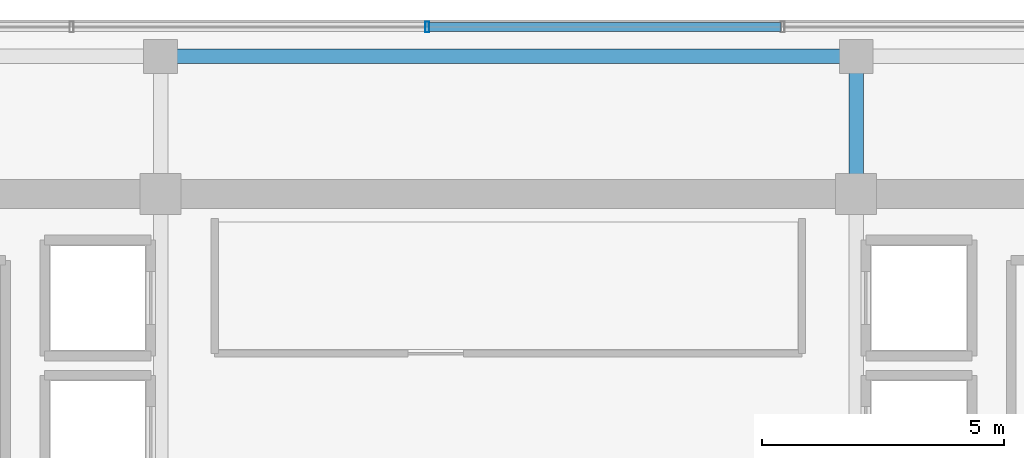
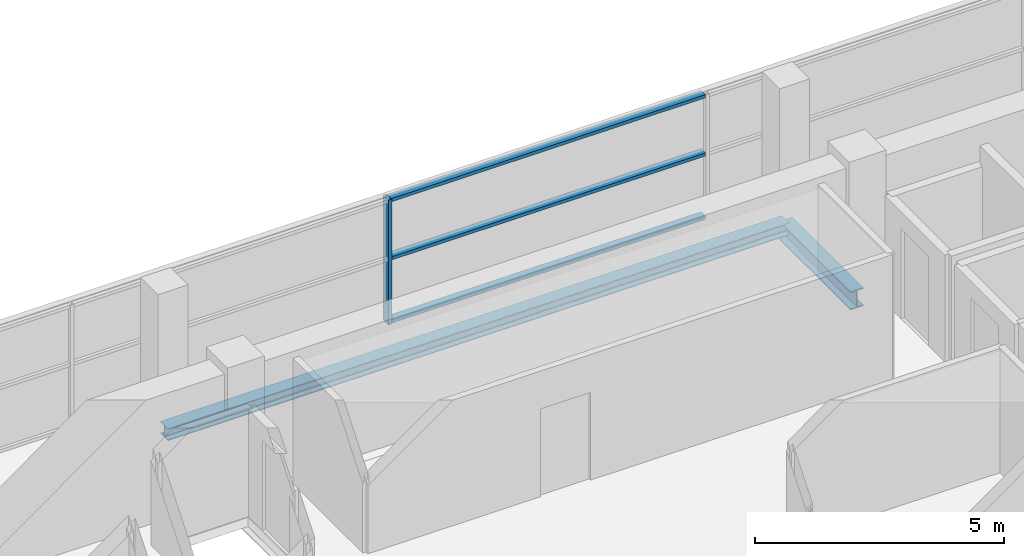
# One storey, part 11 of 22: 4 members, 2 beams, 1 element without a shape of its own.
"""IFC4 building model written with IfcOpenShell, lengths in metres."""

from ifc_helpers import new_model, si_unit, direction, frame, origin, origin_2d, place, context, subcontext, project, spatial, hollow_rectangle, i_section, extrude, source, transform, mapped, material, layer, layer_set, material_profile, profile_set, type_object, element, aggregate, save


model = new_model("IFC4")

# Units and contexts
model_context = context("Model", 3, precision=1e-05, world=origin(), true_north=direction((0.0, 1.0)))
body_context = subcontext(model_context, "Body", "Model", "MODEL_VIEW")
ifc_project = project(units=[si_unit("LENGTHUNIT", "METRE"), si_unit("AREAUNIT", "SQUARE_METRE"), si_unit("VOLUMEUNIT", "CUBIC_METRE"), si_unit("PLANEANGLEUNIT", "RADIAN"), si_unit("MASSUNIT", "GRAM", prefix="KILO")], contexts=[model_context])

# Site, building, storey
site_placement = place(None, origin())
site = spatial("IfcSite", under=ifc_project, at=site_placement, CompositionType="ELEMENT")
building_placement = place(site_placement, origin())
building = spatial("IfcBuilding", under=site, at=building_placement, Name="Zarnakvel Exchange Tower", CompositionType="ELEMENT")
storey_placement = place(building_placement, frame((0.0, 0.0, 238.60009765625)))
storey = spatial("IfcBuildingStorey", under=building, at=storey_placement, Name="L67", CompositionType="ELEMENT", Elevation=238.60009765625)

# Beams
ifc_material_1 = material(Name="Steel S355", Category="steel")
ifc_material_profile_1 = material_profile(ifc_material_1, i_section(OverallWidth=0.300048828125, OverallDepth=0.449951171875, WebThickness=0.013916015625, FlangeThickness=0.02587890625, FilletRadius=0.027099609375, at=origin_2d()))
ifc_profile_set_1 = profile_set([ifc_material_profile_1], Name="Steel S355")
beam_type_1 = type_object("IfcBeamType", Name="G-07", PredefinedType="BEAM", material=ifc_profile_set_1)
beam_1_placement = place(storey_placement, frame((7.199951171875, 13.5, -0.4501953125), z_axis=(0.0, 1.0, 0.0), x_axis=(-1.0, 0.0, 0.0)))
element("IfcBeam", 1, at=beam_1_placement, inside=storey, type_object=beam_type_1, Name="L67 Tower N-S Frame Beam", PredefinedType="BEAM", context=body_context, shape_type="SweptSolid", body=[
    extrude(i_section(OverallWidth=0.300048828125, OverallDepth=0.449951171875, WebThickness=0.013916015625, FlangeThickness=0.02587890625, FilletRadius=0.027099609375, at=origin_2d()), origin(), (0.0, 0.0, 1.0), 2.85009765625),
])
ifc_material_profile_2 = material_profile(ifc_material_1, i_section(OverallWidth=0.300048828125, OverallDepth=0.300048828125, WebThickness=0.010986328125, FlangeThickness=0.01904296875, FilletRadius=0.027099609375, at=origin_2d()))
ifc_profile_set_2 = profile_set([ifc_material_profile_2], Name="Steel S355")
beam_type_2 = type_object("IfcBeamType", Name="SP-03", PredefinedType="SPANDREL", material=ifc_profile_set_2)
beam_2_placement = place(storey_placement, frame((-7.199951171875, 16.35009765625, -0.375), z_axis=(1.0, 0.0, 0.0), x_axis=(0.0, 1.0, 0.0)))
element("IfcBeam", 2, at=beam_2_placement, inside=storey, type_object=beam_type_2, Name="L67 Tower E-W Frame Beam", PredefinedType="SPANDREL", context=body_context, shape_type="SweptSolid", body=[
    extrude(i_section(OverallWidth=0.300048828125, OverallDepth=0.300048828125, WebThickness=0.010986328125, FlangeThickness=0.01904296875, FilletRadius=0.027099609375, at=origin_2d()), origin(), (0.0, 0.0, 1.0), 14.39990234375),
])

# Curtain wall, members
ifc_material_2 = material(Name="Architectural Bronze Anodised Aluminium", Category="aluminium")
ifc_layer = layer(ifc_material_2, 0.219970703125)
ifc_layer_set = layer_set([ifc_layer], Name="Architectural Bronze Anodised Aluminium")
curtain_wall_type = type_object("IfcCurtainWallType", Name="CW-03", PredefinedType="NOTDEFINED", material=ifc_layer_set)
curtain_wall_placement = place(storey_placement, origin())
curtain_wall = element("IfcCurtainWall", 3, at=curtain_wall_placement, inside=storey, type_object=curtain_wall_type, Name="L67 Curtain Wall CW-L67-N1 (CW-03)", PredefinedType="NOTDEFINED")
ifc_material_profile_3 = material_profile(ifc_material_2, hollow_rectangle(XDim=0.219970703125, YDim=0.080078125, WallThickness=0.0048828125, at=origin_2d()))
ifc_profile_set_3 = profile_set([ifc_material_profile_3], Name="Architectural Bronze Anodised Aluminium")
member_type_1 = type_object("IfcMemberType", Name="CWM-03", PredefinedType="MULLION", material=ifc_profile_set_3)
shared_shape_1 = source(origin(), body_context, "Body", "SweptSolid", [
    extrude(hollow_rectangle(XDim=0.219970703125, YDim=0.080078125, WallThickness=0.0048828125, at=origin_2d()), origin(), (0.0, 0.0, 1.0), 3.054931640625),
])
member_1_placement = place(storey_placement, frame((-1.679931640625, 16.9599609375, 0.0), z_axis=(0.0, 0.0, 1.0), x_axis=(0.0, 1.0, 0.0)))
member_1 = element("IfcMember", 4, at=member_1_placement, type_object=member_type_1, Name="CW-03 mullion 3", PredefinedType="MULLION", context=body_context, shape_type="MappedRepresentation", body=[
    mapped(shared_shape_1, transform((0.0, 0.0, 0.0), x_axis=(1.0, 0.0, 0.0), y_axis=(0.0, 1.0, 0.0), z_axis=(0.0, 0.0, 1.0), scale=1.0)),
])
ifc_material_profile_4 = material_profile(ifc_material_2, hollow_rectangle(XDim=0.179931640625, YDim=0.080078125, WallThickness=0.00390625, at=origin_2d()))
ifc_profile_set_4 = profile_set([ifc_material_profile_4], Name="Architectural Bronze Anodised Aluminium")
member_type_2 = type_object("IfcMemberType", Name="CWT-03", PredefinedType="USERDEFINED", material=ifc_profile_set_4)
shared_shape_2 = source(origin(), body_context, "Body", "SweptSolid", [
    extrude(hollow_rectangle(XDim=0.179931640625, YDim=0.080078125, WallThickness=0.00390625, at=origin_2d()), origin(), (0.0, 0.0, 1.0), 7.27978515625),
])
member_2_placement = place(storey_placement, frame((-1.639892578125, 16.9599609375, 0.039794921875), z_axis=(1.0, 0.0, 0.0), x_axis=(0.0, 1.0, 0.0)))
member_2 = element("IfcMember", 5, at=member_2_placement, type_object=member_type_2, Name="CW-03 transom 3.1", ObjectType="TRANSOM", PredefinedType="USERDEFINED", context=body_context, shape_type="MappedRepresentation", body=[
    mapped(shared_shape_2, transform((0.0, 0.0, 0.0), x_axis=(1.0, 0.0, 0.0), y_axis=(0.0, 1.0, 0.0), z_axis=(0.0, 0.0, 1.0), scale=1.0)),
])
member_3_placement = place(storey_placement, frame((-1.639892578125, 16.9599609375, 1.588623046875), z_axis=(1.0, 0.0, 0.0), x_axis=(0.0, 1.0, 0.0)))
member_3 = element("IfcMember", 6, at=member_3_placement, type_object=member_type_2, Name="CW-03 transom 3.2", ObjectType="TRANSOM", PredefinedType="USERDEFINED", context=body_context, shape_type="MappedRepresentation", body=[
    mapped(shared_shape_2, transform((0.0, 0.0, 0.0), x_axis=(1.0, 0.0, 0.0), y_axis=(0.0, 1.0, 0.0), z_axis=(0.0, 0.0, 1.0), scale=1.0)),
])
member_4_placement = place(storey_placement, frame((-1.639892578125, 16.9599609375, 3.014892578125), z_axis=(1.0, 0.0, 0.0), x_axis=(0.0, 1.0, 0.0)))
member_4 = element("IfcMember", 7, at=member_4_placement, type_object=member_type_2, Name="CW-03 transom 3.3", ObjectType="TRANSOM", PredefinedType="USERDEFINED", context=body_context, shape_type="MappedRepresentation", body=[
    mapped(shared_shape_2, transform((0.0, 0.0, 0.0), x_axis=(1.0, 0.0, 0.0), y_axis=(0.0, 1.0, 0.0), z_axis=(0.0, 0.0, 1.0), scale=1.0)),
])
aggregate(curtain_wall, [member_1, member_2, member_3, member_4])

save(model, "model.ifc")
